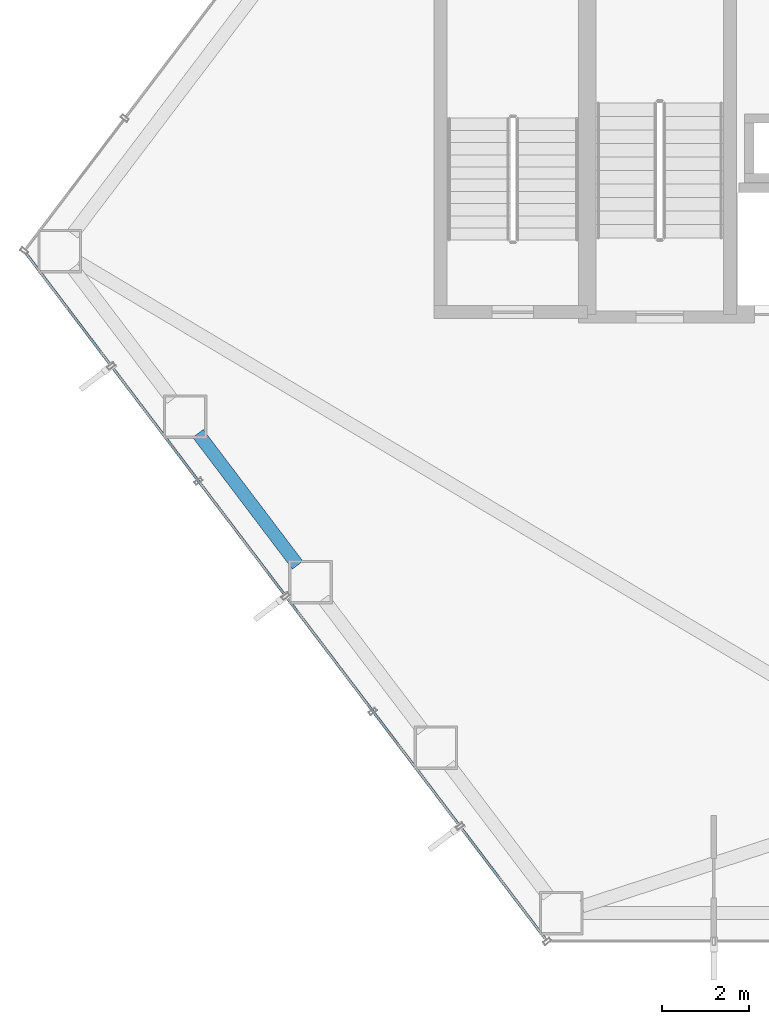
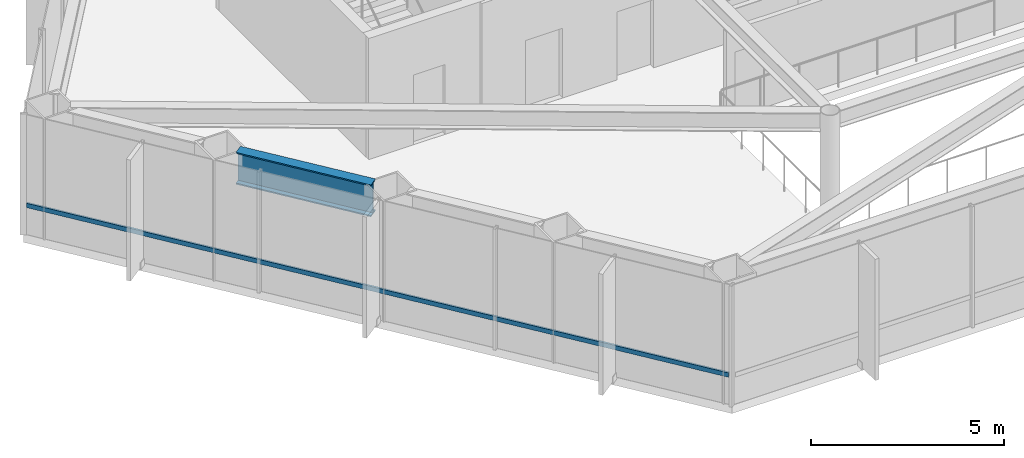
# One storey, part 3 of 25: 1 beam, 1 member, 1 element without a shape of its own.
"""IFC4 building model written with IfcOpenShell, lengths in metres."""

from ifc_helpers import new_model, si_unit, direction, frame, origin, origin_2d, place, context, subcontext, project, spatial, hollow_rectangle, i_section, extrude, material, layer, layer_set, material_profile, profile_set, type_object, element, aggregate, save


model = new_model("IFC4")

# Units and contexts
model_context = context("Model", 3, precision=1e-05, world=origin(), true_north=direction((0.0, 1.0)))
body_context = subcontext(model_context, "Body", "Model", "MODEL_VIEW")
ifc_project = project(units=[si_unit("LENGTHUNIT", "METRE"), si_unit("AREAUNIT", "SQUARE_METRE"), si_unit("VOLUMEUNIT", "CUBIC_METRE"), si_unit("PLANEANGLEUNIT", "RADIAN"), si_unit("MASSUNIT", "GRAM", prefix="KILO")], contexts=[model_context])

# Site, building, storey
site_placement = place(None, origin())
site = spatial("IfcSite", under=ifc_project, at=site_placement, CompositionType="ELEMENT")
building_placement = place(site_placement, origin())
building = spatial("IfcBuilding", under=site, at=building_placement, Name="Zarrinselat Tower", CompositionType="ELEMENT")
storey_placement = place(building_placement, frame((0.0, 0.0, 56.10009765625)))
storey = spatial("IfcBuildingStorey", under=building, at=storey_placement, Name="L13", CompositionType="ELEMENT", Elevation=56.10009765625)

# Beam
ifc_material_1 = material(Name="Steel S460M", Category="steel")
ifc_material_profile_1 = material_profile(ifc_material_1, i_section(OverallWidth=0.302001953125, OverallDepth=1.008056640625, WebThickness=0.02099609375, FlangeThickness=0.0400390625, at=origin_2d()), Name="HEM 1000")
ifc_profile_set_1 = profile_set([ifc_material_profile_1], Name="Steel S460M")
beam_type = type_object("IfcBeamType", Name="BM-HEM1000", PredefinedType="BEAM", material=ifc_profile_set_1)
beam_placement = place(storey_placement, frame((19.6640625, 30.515625, 3.31591796875), z_axis=(0.603839076561, -0.797106247384, 0.0), x_axis=(0.797106247384, 0.603839076561, 0.0)))
element("IfcBeam", 1, at=beam_placement, inside=storey, type_object=beam_type, Name="L13 Perimeter Spandrel Girder SP07", PredefinedType="BEAM", context=body_context, shape_type="SweptSolid", body=[
    extrude(i_section(OverallWidth=0.302001953125, OverallDepth=1.008056640625, WebThickness=0.02099609375, FlangeThickness=0.0400390625, at=origin_2d()), origin(), (0.0, 0.0, 1.0), 3.788330078125),
])

# Curtain wall, member
ifc_material_2 = material(Name="Extruded Aluminium Alloy EN AW-6063 T6", Category="aluminium")
ifc_layer = layer(ifc_material_2, 0.18505859375)
ifc_layer_set = layer_set([ifc_layer], Name="Extruded Aluminium Alloy EN AW-6063 T6")
curtain_wall_type = type_object("IfcCurtainWallType", Name="CWS-OFF", PredefinedType="NOTDEFINED", material=ifc_layer_set)
curtain_wall_placement = place(storey_placement, origin())
curtain_wall = element("IfcCurtainWall", 2, at=curtain_wall_placement, inside=storey, type_object=curtain_wall_type, Name="L13 Unitised Curtain Wall CW-L13-E03", PredefinedType="NOTDEFINED")
ifc_material_3 = material(Name="Extruded Aluminium Alloy EN AW-6063 T6", Category="aluminium")
ifc_material_profile_2 = material_profile(ifc_material_3, hollow_rectangle(XDim=0.06005859375, YDim=0.139892578125, WallThickness=0.00390625, at=origin_2d()), Name="RHS 140x60x4")
ifc_profile_set_2 = profile_set([ifc_material_profile_2], Name="Extruded Aluminium Alloy EN AW-6063 T6")
member_type = type_object("IfcMemberType", Name="MEM-CW-TRN", PredefinedType="USERDEFINED", material=ifc_profile_set_2)
member_placement = place(storey_placement, frame((15.731201171875, 34.630615234375, 0.949951171875), z_axis=(0.603856971935, -0.797092690623, 0.0), x_axis=(0.797092690623, 0.603856971935, 0.0)))
member = element("IfcMember", 3, at=member_placement, type_object=member_type, Name="CW-L13-E03 Transom 1", ObjectType="TRANSOM", PredefinedType="USERDEFINED", context=body_context, shape_type="SweptSolid", body=[
    extrude(hollow_rectangle(XDim=0.06005859375, YDim=0.139892578125, WallThickness=0.00390625, at=origin_2d()), origin(), (0.0, 0.0, 1.0), 19.693115234375),
])
aggregate(curtain_wall, [member])

save(model, "model.ifc")
